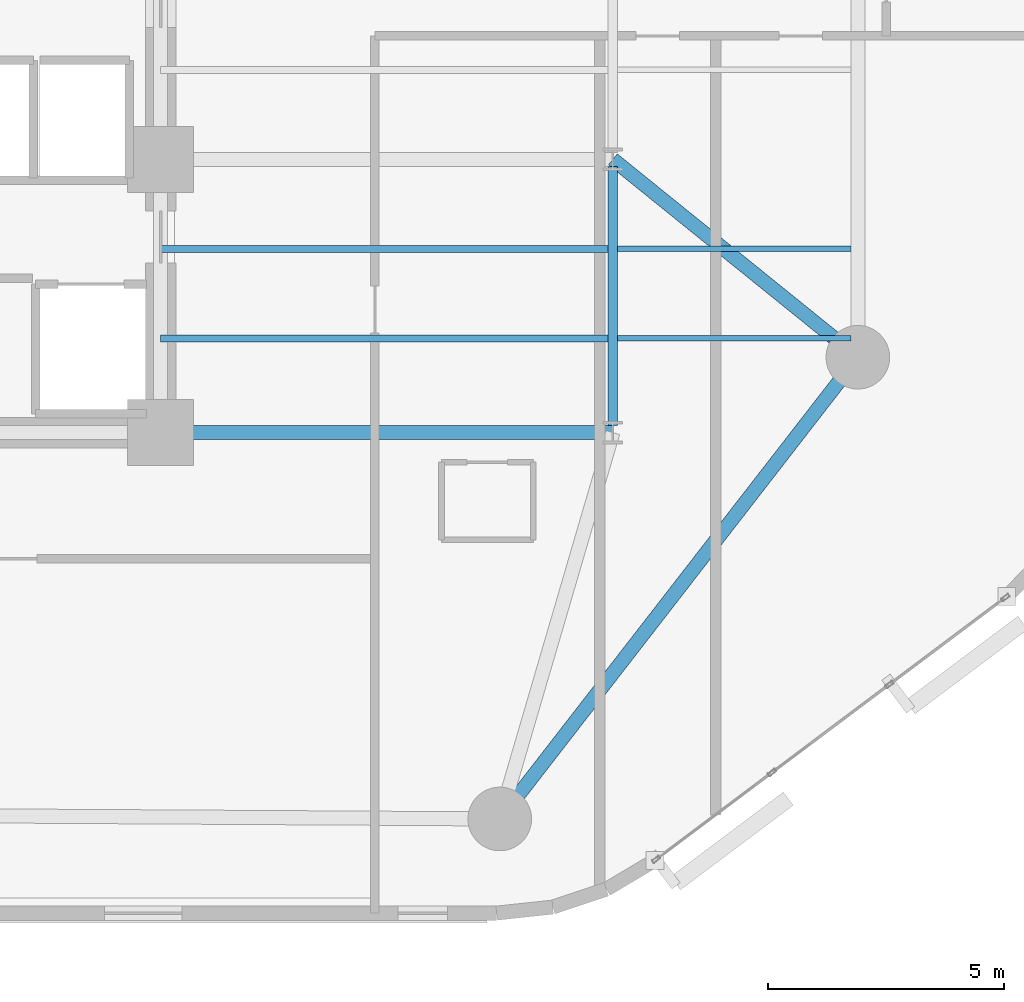
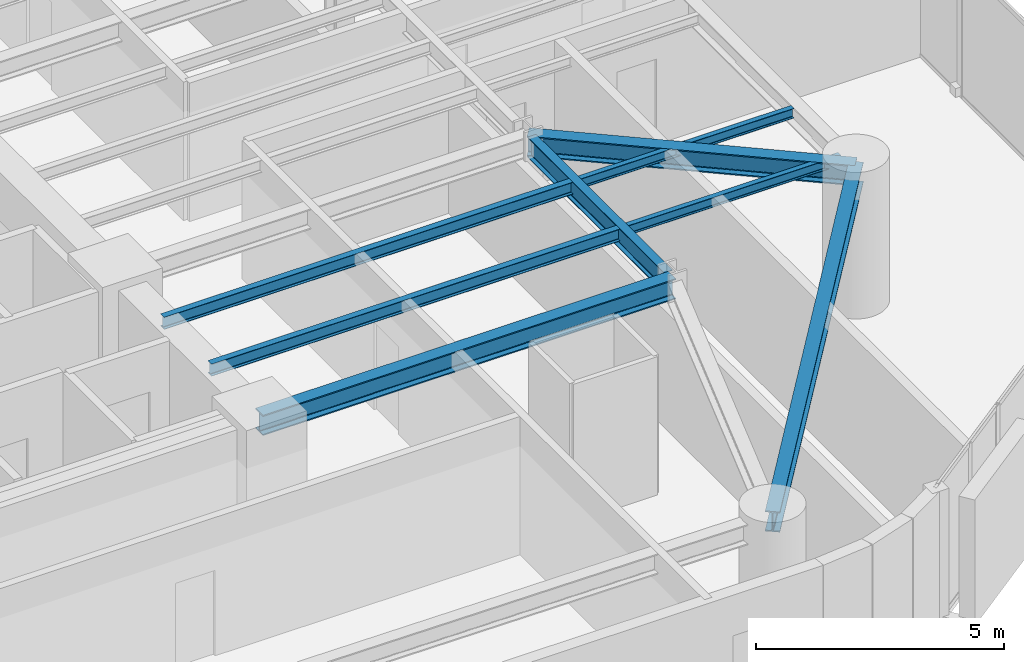
# One storey, part 3 of 16: 8 beams.
"""IFC4 building model written with IfcOpenShell, lengths in metres."""

from ifc_helpers import new_model, si_unit, direction, frame, origin, origin_2d, place, context, subcontext, project, spatial, i_section, extrude, material, material_profile, profile_set, type_object, element, save


model = new_model("IFC4")

# Units and contexts
model_context = context("Model", 3, precision=1e-05, world=origin(), true_north=direction((0.0, 1.0)))
body_context = subcontext(model_context, "Body", "Model", "MODEL_VIEW")
ifc_project = project(units=[si_unit("LENGTHUNIT", "METRE"), si_unit("AREAUNIT", "SQUARE_METRE"), si_unit("VOLUMEUNIT", "CUBIC_METRE"), si_unit("PLANEANGLEUNIT", "RADIAN"), si_unit("MASSUNIT", "GRAM", prefix="KILO")], contexts=[model_context])

# Site, building, storey
site_placement = place(None, origin())
site = spatial("IfcSite", under=ifc_project, at=site_placement, CompositionType="ELEMENT")
building_placement = place(site_placement, origin())
building = spatial("IfcBuilding", under=site, at=building_placement, Name="An Khanh Terracotta Commons", CompositionType="ELEMENT")
storey_placement = place(building_placement, frame((0.0, 0.0, 89.89990234375)))
storey = spatial("IfcBuildingStorey", under=building, at=storey_placement, Name="L23", CompositionType="ELEMENT", Elevation=89.89990234375)

# Beams
ifc_material = material(Name="Steel S355J2", Category="steel")
ifc_material_profile_1 = material_profile(ifc_material, i_section(OverallWidth=0.300048828125, OverallDepth=0.5, WebThickness=0.014404296875, FlangeThickness=0.028076171875, FilletRadius=0.027099609375, at=origin_2d()), Name="HEB500")
ifc_profile_set_1 = profile_set([ifc_material_profile_1], Name="Steel S355J2")
beam_type_1 = type_object("IfcBeamType", Name="BM-HEB500", PredefinedType="BEAM", material=ifc_profile_set_1)
beam_1_placement = place(storey_placement, frame((44.39990234375, 6.199951171875, 3.150146484375), z_axis=(0.612826529795, 0.790217466511, 0.0), x_axis=(-0.790217466511, 0.612826529795, 0.0)))
element("IfcBeam", 1, at=beam_1_placement, inside=storey, type_object=beam_type_1, Name="L23 Perimeter Ring Spandrel 2", PredefinedType="BEAM", context=body_context, shape_type="SweptSolid", body=[
    extrude(i_section(OverallWidth=0.300048828125, OverallDepth=0.5, WebThickness=0.014404296875, FlangeThickness=0.028076171875, FilletRadius=0.027099609375, at=origin_2d()), origin(), (0.0, 0.0, 1.0), 12.401611328125),
])
beam_2_placement = place(storey_placement, frame((37.199951171875, 14.39990234375, 3.150146484375), z_axis=(1.0, 0.0, 0.0), x_axis=(0.0, 1.0, 0.0)))
element("IfcBeam", 2, at=beam_2_placement, inside=storey, type_object=beam_type_1, Name="L23 East Primary Floor Girder 1", PredefinedType="BEAM", context=body_context, shape_type="SweptSolid", body=[
    extrude(i_section(OverallWidth=0.300048828125, OverallDepth=0.5, WebThickness=0.014404296875, FlangeThickness=0.028076171875, FilletRadius=0.027099609375, at=origin_2d()), origin(), (0.0, 0.0, 1.0), 9.60009765625),
])
beam_3_placement = place(storey_placement, frame((52.0, 16.0, 3.150146484375), z_axis=(-0.777941866883, 0.628336256913, 0.0), x_axis=(-0.628336256913, -0.777941866883, 0.0)))
element("IfcBeam", 3, at=beam_3_placement, inside=storey, type_object=beam_type_1, Name="L23 Mega-Column Tie Girder 3", PredefinedType="BEAM", context=body_context, shape_type="SweptSolid", body=[
    extrude(i_section(OverallWidth=0.300048828125, OverallDepth=0.5, WebThickness=0.014404296875, FlangeThickness=0.028076171875, FilletRadius=0.027099609375, at=origin_2d()), origin(), (0.0, 0.0, 1.0), 6.684326171875),
])
ifc_material_profile_2 = material_profile(ifc_material, i_section(OverallWidth=0.1201171875, OverallDepth=0.239990234375, WebThickness=0.006103515625, FlangeThickness=0.009765625, FilletRadius=0.014892578125, at=origin_2d()), Name="IPE240")
ifc_profile_set_2 = profile_set([ifc_material_profile_2], Name="Steel S355J2")
beam_type_2 = type_object("IfcBeamType", Name="BM-IPE240", PredefinedType="JOIST", material=ifc_profile_set_2)
for number, where, z_axis, x_axis, name in (
    (4, (46.89990234375, 16.39990234375, 3.280029296875), (1.0, 0.0, 0.0), (0.0, 1.0, 0.0), "L23 Riverfront Composite Joist 1"),
    (5, (46.89990234375, 18.300048828125, 3.280029296875), (1.0, 0.0, 0.0), (0.0, 1.0, 0.0), "L23 Riverfront Composite Joist 2"),
):
    element("IfcBeam", number, at=place(storey_placement, frame(where, z_axis=z_axis, x_axis=x_axis)), inside=storey, type_object=beam_type_2, Name=name, PredefinedType="JOIST", context=body_context, shape_type="SweptSolid", body=[
        extrude(i_section(OverallWidth=0.1201171875, OverallDepth=0.239990234375, WebThickness=0.006103515625, FlangeThickness=0.009765625, FilletRadius=0.014892578125, at=origin_2d()), origin(), (0.0, 0.0, 1.0), 4.9501953125),
    ])
ifc_material_profile_3 = material_profile(ifc_material, i_section(OverallWidth=0.14990234375, OverallDepth=0.300048828125, WebThickness=0.007080078125, FlangeThickness=0.0107421875, FilletRadius=0.014892578125, at=origin_2d()), Name="IPE300")
ifc_profile_set_3 = profile_set([ifc_material_profile_3], Name="Steel S355J2")
beam_type_3 = type_object("IfcBeamType", Name="BM-IPE300", PredefinedType="JOIST", material=ifc_profile_set_3)
for number, where, z_axis, x_axis, name in (
    (6, (37.199951171875, 16.39990234375, 3.25), (1.0, 0.0, 0.0), (0.0, 1.0, 0.0), "L23 Inboard Composite Joist 1"),
    (7, (37.199951171875, 18.300048828125, 3.25), (1.0, 0.0, 0.0), (0.0, 1.0, 0.0), "L23 Inboard Composite Joist 2"),
):
    element("IfcBeam", number, at=place(storey_placement, frame(where, z_axis=z_axis, x_axis=x_axis)), inside=storey, type_object=beam_type_3, Name=name, PredefinedType="JOIST", context=body_context, shape_type="SweptSolid", body=[
        extrude(i_section(OverallWidth=0.14990234375, OverallDepth=0.300048828125, WebThickness=0.007080078125, FlangeThickness=0.0107421875, FilletRadius=0.014892578125, at=origin_2d()), origin(), (0.0, 0.0, 1.0), 9.5),
    ])
ifc_material_profile_4 = material_profile(ifc_material, i_section(OverallWidth=0.199951171875, OverallDepth=0.5, WebThickness=0.01025390625, FlangeThickness=0.01611328125, FilletRadius=0.02099609375, at=origin_2d()), Name="IPE500")
ifc_profile_set_4 = profile_set([ifc_material_profile_4], Name="Steel S355J2")
beam_type_4 = type_object("IfcBeamType", Name="BM-IPE500", PredefinedType="BEAM", material=ifc_profile_set_4)
beam_4_placement = place(storey_placement, frame((46.800048828125, 14.550048828125, 3.150146484375), z_axis=(0.0, 1.0, 0.0), x_axis=(-1.0, 0.0, 0.0)))
element("IfcBeam", 8, at=beam_4_placement, inside=storey, type_object=beam_type_4, Name="L23 East Spine Girder 1", PredefinedType="BEAM", context=body_context, shape_type="SweptSolid", body=[
    extrude(i_section(OverallWidth=0.199951171875, OverallDepth=0.5, WebThickness=0.01025390625, FlangeThickness=0.01611328125, FilletRadius=0.02099609375, at=origin_2d()), origin(), (0.0, 0.0, 1.0), 5.5),
])

save(model, "model.ifc")
